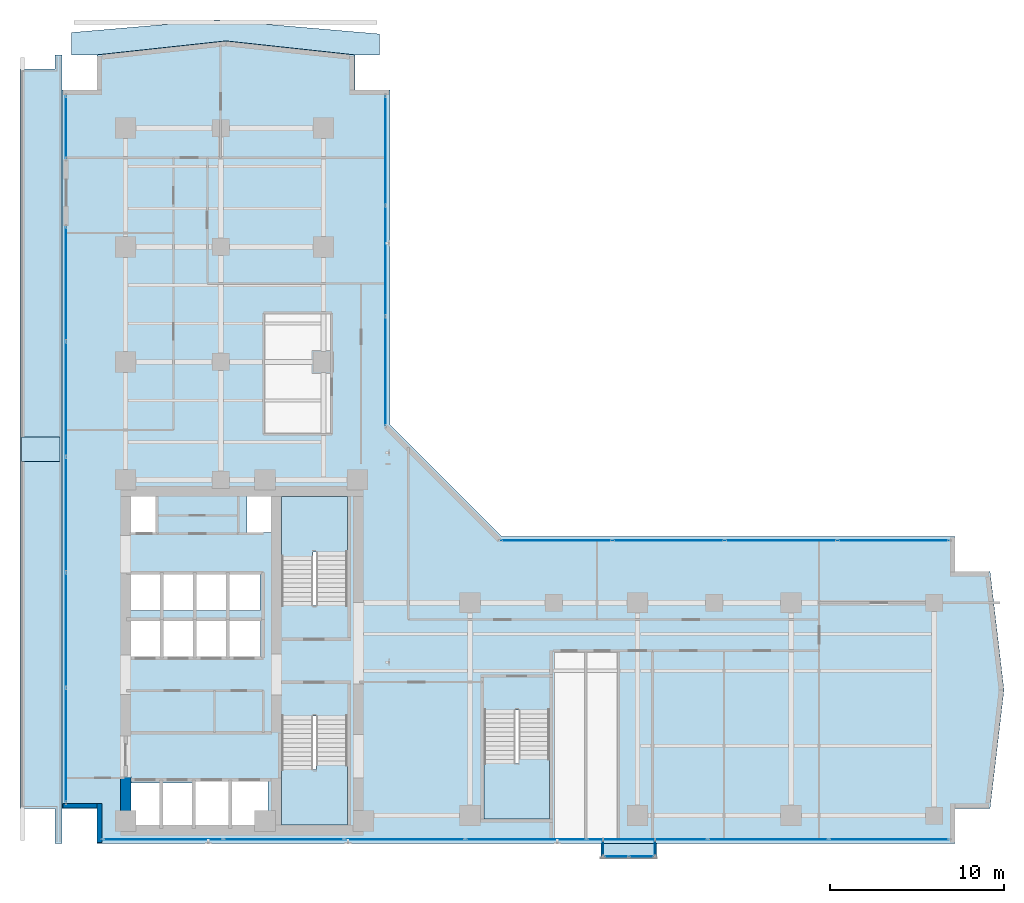
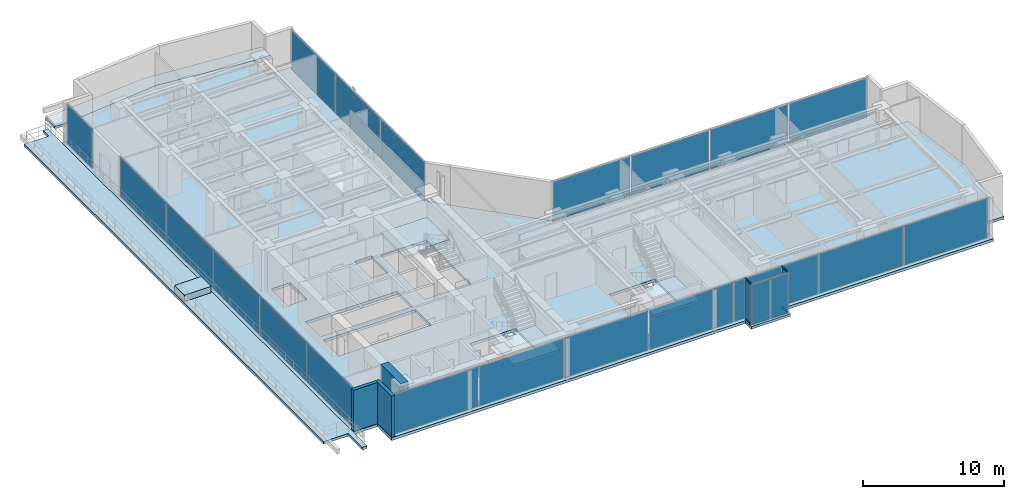
# One storey, part 19 of 28: 24 plates, 8 slabs, 4 members, 3 walls, 11 elements without a shape of their own.
"""IFC4 building model written with IfcOpenShell, lengths in metres."""

from ifc_helpers import new_model, si_unit, direction, frame, frame_2d, origin, origin_with_axes, origin_2d, place, context, subcontext, project, spatial, polyline, rectangle, hollow_rectangle, outline, extrude, source, transform, mapped, material, layer, layer_set, material_profile, profile_set, type_object, element, aggregate, save


model = new_model("IFC4")

# Units and contexts
model_context = context("Model", 3, precision=1e-05, world=origin(), true_north=direction((0.0, 1.0)))
body_context = subcontext(model_context, "Body", "Model", "MODEL_VIEW")
ifc_project = project(units=[si_unit("LENGTHUNIT", "METRE"), si_unit("AREAUNIT", "SQUARE_METRE"), si_unit("VOLUMEUNIT", "CUBIC_METRE"), si_unit("PLANEANGLEUNIT", "RADIAN"), si_unit("MASSUNIT", "GRAM", prefix="KILO")], contexts=[model_context])

# Site, building, storey
site_placement = place(None, origin())
site = spatial("IfcSite", under=ifc_project, at=site_placement, CompositionType="ELEMENT")
building_placement = place(site_placement, origin())
building = spatial("IfcBuilding", under=site, at=building_placement, Name="Kolvaren Waterfront Exchange", CompositionType="ELEMENT")
storey_placement = place(building_placement, frame((0.0, 0.0, 146.199951171875)))
storey = spatial("IfcBuildingStorey", under=building, at=storey_placement, Name="L37", CompositionType="ELEMENT", Elevation=146.199951171875)

# Curtain wall, members
ifc_material_1 = material(Name="Anodised bronze aluminium 6063-T6", Category="aluminium")
ifc_layer_1 = layer(ifc_material_1, 0.219970703125, Name="Anodised bronze aluminium 6063-T6")
ifc_layer_set_1 = layer_set([ifc_layer_1], Name="Anodised bronze aluminium 6063-T6")
curtain_wall_type_1 = type_object("IfcCurtainWallType", Name="ARC-CW-SYS3", PredefinedType="USERDEFINED", material=ifc_layer_set_1)
curtain_wall_1_placement = place(storey_placement, origin())
curtain_wall_1 = element("IfcCurtainWall", 1, at=curtain_wall_1_placement, inside=storey, type_object=curtain_wall_type_1, Name="L37 stick curtain wall CW3 (CW-L37-BOX-W)", ObjectType="STICK CURTAIN WALL", PredefinedType="USERDEFINED")
ifc_material_profile = material_profile(ifc_material_1, hollow_rectangle(XDim=0.06494140625, YDim=0.1298828125, WallThickness=0.00390625, at=origin_2d()), Name="ALU-TRN-130x65x4")
ifc_profile_set = profile_set([ifc_material_profile], Name="Anodised bronze aluminium 6063-T6")
member_type = type_object("IfcMemberType", Name="ARC-CWT-130", PredefinedType="USERDEFINED", material=ifc_profile_set)
shared_shape_1 = source(origin_with_axes(), body_context, "Body", "SweptSolid", [
    extrude(hollow_rectangle(XDim=0.06494140625, YDim=0.1298828125, WallThickness=0.00390625, at=origin_2d()), origin(), (0.0, 0.0, 1.0), 0.829833984375),
])
member_1_placement = place(storey_placement, frame((34.81005859375, 3.764892578125, 0.032470703125), z_axis=(0.0, -1.0, 0.0), x_axis=(1.0, 0.0, 0.0)))
member_1 = element("IfcMember", 2, at=member_1_placement, type_object=member_type, Name="CW3 transom 1.1", ObjectType="TRANSOM", PredefinedType="USERDEFINED", context=body_context, shape_type="MappedRepresentation", body=[
    mapped(shared_shape_1, transform((0.0, 0.0, 0.0), x_axis=(1.0, 0.0, 0.0), y_axis=(0.0, 1.0, 0.0), z_axis=(0.0, 0.0, 1.0), scale=1.0)),
])
member_2_placement = place(storey_placement, frame((34.81005859375, 3.764892578125, 3.527587890625), z_axis=(0.0, -1.0, 0.0), x_axis=(1.0, 0.0, 0.0)))
member_2 = element("IfcMember", 3, at=member_2_placement, type_object=member_type, Name="CW3 transom 1.2", ObjectType="TRANSOM", PredefinedType="USERDEFINED", context=body_context, shape_type="MappedRepresentation", body=[
    mapped(shared_shape_1, transform((0.0, 0.0, 0.0), x_axis=(1.0, 0.0, 0.0), y_axis=(0.0, 1.0, 0.0), z_axis=(0.0, 0.0, 1.0), scale=1.0)),
])

curtain_wall_2_placement = place(storey_placement, origin())
curtain_wall_2 = element("IfcCurtainWall", 4, at=curtain_wall_2_placement, inside=storey, type_object=curtain_wall_type_1, Name="L37 stick curtain wall CW3 (CW-L37-BOX-E)", ObjectType="STICK CURTAIN WALL", PredefinedType="USERDEFINED")
member_3_placement = place(storey_placement, frame((37.7900390625, 2.93505859375, 0.032470703125), z_axis=(0.0, 1.0, 0.0), x_axis=(-1.0, 0.0, 0.0)))
member_3 = element("IfcMember", 5, at=member_3_placement, type_object=member_type, Name="CW3 transom 1.1", ObjectType="TRANSOM", PredefinedType="USERDEFINED", context=body_context, shape_type="MappedRepresentation", body=[
    mapped(shared_shape_1, transform((0.0, 0.0, 0.0), x_axis=(1.0, 0.0, 0.0), y_axis=(0.0, 1.0, 0.0), z_axis=(0.0, 0.0, 1.0), scale=1.0)),
])
member_4_placement = place(storey_placement, frame((37.7900390625, 2.93505859375, 3.527587890625), z_axis=(0.0, 1.0, 0.0), x_axis=(-1.0, 0.0, 0.0)))
member_4 = element("IfcMember", 6, at=member_4_placement, type_object=member_type, Name="CW3 transom 1.2", ObjectType="TRANSOM", PredefinedType="USERDEFINED", context=body_context, shape_type="MappedRepresentation", body=[
    mapped(shared_shape_1, transform((0.0, 0.0, 0.0), x_axis=(1.0, 0.0, 0.0), y_axis=(0.0, 1.0, 0.0), z_axis=(0.0, 0.0, 1.0), scale=1.0)),
])

# Slab
ifc_material_2 = material(Name="Precast concrete C40/50", Category="concrete")
ifc_layer_2 = layer(ifc_material_2, 0.2099609375, Name="Precast concrete C40/50")
ifc_layer_set_2 = layer_set([ifc_layer_2], Name="Precast concrete C40/50")
slab_type_1 = type_object("IfcSlabType", Name="STR-CANOPY-210", PredefinedType="ROOF", material=ifc_layer_set_2)
slab_1_placement = place(storey_placement, frame((0.0, 0.0, -0.2099609375)))
element("IfcSlab", 7, at=slab_1_placement, inside=storey, type_object=slab_type_1, Name="L37 north setback roof ledge 1", PredefinedType="ROOF", context=body_context, shape_type="SweptSolid", body=[
    extrude(outline(polyline([(12.699951171875, 50.800048828125), (22.0, 50.0), (22.0, 48.7900390625), (20.60009765625, 48.7900390625), (20.60009765625, 48.800048828125), (13.199951171875, 49.60009765625), (5.800048828125, 48.800048828125), (5.800048828125, 48.7900390625), (4.35009765625, 48.7900390625), (4.35009765625, 50.081787109375), (12.699951171875, 50.800048828125)])), origin(), (0.0, 0.0, 1.0), 0.2099609375),
])

# Stair, slab
ifc_material_3 = material(Name="Concrete C40/50", Category="concrete")
stair_type = type_object("IfcStairType", Name="ARC-STAIR-3800", PredefinedType="HALF_TURN_STAIR", material=ifc_material_3)
stair_1_placement = place(storey_placement, origin())
stair_1 = element("IfcStair", 8, at=stair_1_placement, inside=storey, type_object=stair_type, Name="L37 Smoke-proof exit stair ST1", PredefinedType="HALF_TURN_STAIR")
ifc_layer_3 = layer(ifc_material_3, 0.199951171875, Name="Concrete C40/50")
ifc_layer_set_3 = layer_set([ifc_layer_3], Name="Concrete C40/50")
slab_type_2 = type_object("IfcSlabType", Name="STR-LANDING-200", PredefinedType="LANDING", material=ifc_layer_set_3)
slab_2_placement = place(storey_placement, frame((0.0, 0.0, 1.776123046875)))
slab_2 = element("IfcSlab", 9, at=slab_2_placement, type_object=slab_type_2, Name="ST1 landing 1", PredefinedType="LANDING", context=body_context, shape_type="SweptSolid", body=[
    extrude(outline(polyline([(16.39990234375, 7.840087890625), (16.39990234375, 4.64990234375), (20.159912109375, 4.64990234375), (20.159912109375, 8.10009765625), (18.360107421875, 8.10009765625), (18.360107421875, 7.840087890625), (16.39990234375, 7.840087890625)])), origin(), (0.0, 0.0, 1.0), 0.199951171875),
])
aggregate(stair_1, [slab_2])

stair_2_placement = place(storey_placement, origin())
stair_2 = element("IfcStair", 10, at=stair_2_placement, inside=storey, type_object=stair_type, Name="L37 Smoke-proof exit stair ST2", PredefinedType="HALF_TURN_STAIR")
slab_3_placement = place(storey_placement, frame((0.0, 0.0, 1.776123046875)))
slab_3 = element("IfcSlab", 11, at=slab_3_placement, type_object=slab_type_2, Name="ST2 landing 1", PredefinedType="LANDING", context=body_context, shape_type="SweptSolid", body=[
    extrude(outline(polyline([(20.159912109375, 20.31005859375), (20.159912109375, 23.5), (16.39990234375, 23.5), (16.39990234375, 20.050048828125), (18.199951171875, 20.050048828125), (18.199951171875, 20.31005859375), (20.159912109375, 20.31005859375)])), origin(), (0.0, 0.0, 1.0), 0.199951171875),
])
aggregate(stair_2, [slab_3])

stair_3_placement = place(storey_placement, origin())
stair_3 = element("IfcStair", 12, at=stair_3_placement, inside=storey, type_object=stair_type, Name="L37 Exit stair ST3", PredefinedType="HALF_TURN_STAIR")
slab_4_placement = place(storey_placement, frame((0.0, 0.0, 1.776123046875)))
slab_4 = element("IfcSlab", 13, at=slab_4_placement, type_object=slab_type_2, Name="ST3 landing 1", PredefinedType="LANDING", context=body_context, shape_type="SweptSolid", body=[
    extrude(outline(polyline([(28.0, 8.18994140625), (28.0, 5.0), (31.760009765625, 5.0), (31.760009765625, 8.449951171875), (29.9599609375, 8.449951171875), (29.9599609375, 8.18994140625), (28.0, 8.18994140625)])), origin(), (0.0, 0.0, 1.0), 0.199951171875),
])
aggregate(stair_3, [slab_4])

# Slabs
ifc_layer_4 = layer(ifc_material_2, 0.159912109375, Name="Precast concrete C40/50")
ifc_layer_set_4 = layer_set([ifc_layer_4], Name="Precast concrete C40/50")
slab_type_3 = type_object("IfcSlabType", Name="STR-PLANTER-160", PredefinedType="USERDEFINED", material=ifc_layer_set_4)
slab_5_placement = place(storey_placement, origin())
element("IfcSlab", 14, at=slab_5_placement, inside=storey, type_object=slab_type_3, Name="L37 planted sky-garden structural planter 1", ObjectType="PLANTER", PredefinedType="USERDEFINED", context=body_context, shape_type="SweptSolid", body=[
    extrude(outline(polyline([(1.5, 25.5), (3.699951171875, 25.5), (3.699951171875, 26.89990234375), (1.5, 26.89990234375), (1.5, 25.5)])), origin(), (0.0, 0.0, 1.0), 0.550048828125),
])
ifc_layer_5 = layer(ifc_material_3, 0.239990234375, Name="Concrete C40/50")
ifc_layer_set_5 = layer_set([ifc_layer_5], Name="Concrete C40/50")
slab_type_4 = type_object("IfcSlabType", Name="STR-SLAB-240", PredefinedType="FLOOR", material=ifc_layer_set_5)
slab_6_placement = place(storey_placement, frame((0.0, 0.0, -0.239990234375)))
element("IfcSlab", 15, at=slab_6_placement, inside=storey, type_object=slab_type_4, Name="L37 structural floor slab", PredefinedType="FLOOR", context=body_context, shape_type="SweptSolid", body=[
    extrude(outline(polyline([(5.800048828125, 3.60009765625), (55.0, 3.60009765625), (55.0, 5.60009765625), (57.0, 5.60009765625), (57.800048828125, 12.39990234375), (57.0, 19.199951171875), (55.0, 19.199951171875), (55.0, 21.199951171875), (29.0, 21.199951171875), (22.60009765625, 27.60009765625), (22.60009765625, 46.800048828125), (20.60009765625, 46.800048828125), (20.60009765625, 48.800048828125), (13.199951171875, 49.60009765625), (5.800048828125, 48.800048828125), (5.800048828125, 46.800048828125), (3.800048828125, 46.800048828125), (3.800048828125, 5.60009765625), (5.800048828125, 5.60009765625), (5.800048828125, 3.60009765625)]), holes=[polyline([(11.320068359375, 7.260009765625), (15.610107421875, 7.260009765625), (15.610107421875, 4.5400390625), (7.719970703125, 4.5400390625), (7.719970703125, 7.06005859375), (11.320068359375, 7.06005859375), (11.320068359375, 7.260009765625)]), polyline([(20.159912109375, 10.89990234375), (20.159912109375, 4.64990234375), (16.39990234375, 4.64990234375), (16.39990234375, 10.89990234375), (20.159912109375, 10.89990234375)]), polyline([(31.760009765625, 11.25), (31.760009765625, 5.0), (28.0, 5.0), (28.0, 11.25), (31.760009765625, 11.25)]), polyline([(15.18505859375, 14.239990234375), (7.64501953125, 14.239990234375), (7.64501953125, 16.4599609375), (15.18505859375, 16.4599609375), (15.18505859375, 14.239990234375)]), polyline([(15.159912109375, 16.93994140625), (7.669921875, 16.93994140625), (7.669921875, 19.06005859375), (15.159912109375, 19.06005859375), (15.159912109375, 16.93994140625)]), polyline([(16.39990234375, 23.5), (20.159912109375, 23.5), (20.159912109375, 17.25), (16.39990234375, 17.25), (16.39990234375, 23.5)]), polyline([(7.60009765625, 23.780029296875), (9.179931640625, 23.780029296875), (9.179931640625, 21.419921875), (7.60009765625, 21.419921875), (7.60009765625, 23.780029296875)]), polyline([(15.800048828125, 23.780029296875), (15.800048828125, 21.419921875), (14.419921875, 21.419921875), (14.419921875, 23.780029296875), (15.800048828125, 23.780029296875)])]), origin(), (0.0, 0.0, 1.0), 0.239990234375),
])
ifc_layer_6 = layer(ifc_material_3, 0.219970703125, Name="Concrete C40/50")
ifc_layer_set_6 = layer_set([ifc_layer_6], Name="Concrete C40/50")
slab_type_5 = type_object("IfcSlabType", Name="STR-TERR-220", PredefinedType="FLOOR", material=ifc_layer_set_6)
slab_7_placement = place(storey_placement, frame((0.0, 0.0, -0.219970703125)))
element("IfcSlab", 16, at=slab_7_placement, inside=storey, type_object=slab_type_5, Name="L37 west planted sky-garden terrace slab 2", PredefinedType="FLOOR", context=body_context, shape_type="SweptSolid", body=[
    extrude(outline(polyline([(3.39990234375, 5.60009765625), (1.39990234375, 5.60009765625), (1.39990234375, 48.0), (3.39990234375, 48.0), (3.39990234375, 48.7900390625), (3.81005859375, 48.7900390625), (3.81005859375, 46.800048828125), (3.800048828125, 46.800048828125), (3.800048828125, 5.60009765625), (3.81005859375, 5.60009765625), (3.81005859375, 3.610107421875), (3.39990234375, 3.610107421875), (3.39990234375, 5.60009765625)])), origin(), (0.0, 0.0, 1.0), 0.219970703125),
])
slab_8_placement = place(storey_placement, frame((0.0, 0.0, -0.219970703125)))
element("IfcSlab", 17, at=slab_8_placement, inside=storey, type_object=slab_type_5, Name="L37 projecting bay-box floor strip", PredefinedType="FLOOR", context=body_context, shape_type="SweptSolid", body=[
    extrude(outline(polyline([(34.699951171875, 2.75), (37.89990234375, 2.75), (37.89990234375, 3.60009765625), (34.699951171875, 3.60009765625), (34.699951171875, 2.75)])), origin(), (0.0, 0.0, 1.0), 0.219970703125),
])

# Plate
ifc_material_4 = material(Name="Bronze tinted bay-box vision glass", Category="aluminium")
ifc_layer_7 = layer(ifc_material_4, 0.02392578125, Name="Bronze tinted bay-box vision glass")
ifc_layer_set_7 = layer_set([ifc_layer_7], Name="Bronze tinted bay-box vision glass")
plate_type_1 = type_object("IfcPlateType", Name="ARC-CWP-24", PredefinedType="CURTAIN_PANEL", material=ifc_layer_set_7)
shared_shape_2 = source(origin_with_axes(), body_context, "Body", "SweptSolid", [
    extrude(rectangle(XDim=0.830078125, YDim=0.02392578125, at=origin_2d()), origin(), (0.0, 0.0, 1.0), 3.429931640625),
])
plate_1_placement = place(storey_placement, frame((34.81005859375, 3.35009765625, 0.06494140625), z_axis=(0.0, 0.0, 1.0), x_axis=(0.0, -1.0, 0.0)))
plate_1 = element("IfcPlate", 18, at=plate_1_placement, type_object=plate_type_1, Name="CW3 panel 1.1", PredefinedType="CURTAIN_PANEL", context=body_context, shape_type="MappedRepresentation", body=[
    mapped(shared_shape_2, transform((0.0, 0.0, 0.0), x_axis=(1.0, 0.0, 0.0), y_axis=(0.0, 1.0, 0.0), z_axis=(0.0, 0.0, 1.0), scale=1.0)),
])

aggregate(curtain_wall_1, [member_1, member_2, plate_1])

plate_2_placement = place(storey_placement, frame((37.7900390625, 3.35009765625, 0.06494140625), z_axis=(0.0, 0.0, 1.0), x_axis=(0.0, 1.0, 0.0)))
plate_2 = element("IfcPlate", 19, at=plate_2_placement, type_object=plate_type_1, Name="CW3 panel 1.1", PredefinedType="CURTAIN_PANEL", context=body_context, shape_type="MappedRepresentation", body=[
    mapped(shared_shape_2, transform((0.0, 0.0, 0.0), x_axis=(1.0, 0.0, 0.0), y_axis=(0.0, 1.0, 0.0), z_axis=(0.0, 0.0, 1.0), scale=1.0)),
])

aggregate(curtain_wall_2, [member_3, member_4, plate_2])

# Curtain wall, plates
curtain_wall_3_placement = place(storey_placement, origin())
curtain_wall_3 = element("IfcCurtainWall", 20, at=curtain_wall_3_placement, inside=storey, type_object=curtain_wall_type_1, Name="L37 stick curtain wall CW3 (CW-L37-BOX)", ObjectType="STICK CURTAIN WALL", PredefinedType="USERDEFINED")
shared_shape_3 = source(origin_with_axes(), body_context, "Body", "SweptSolid", [
    extrude(rectangle(XDim=1.37744140625, YDim=0.02392578125, at=origin_2d()), origin(), (0.0, 0.0, 1.0), 3.429931640625),
])
plate_3_placement = place(storey_placement, frame((35.57373046875, 2.860107421875, 0.06494140625), z_axis=(0.0, 0.0, 1.0), x_axis=(1.0, 0.0, 0.0)))
plate_3 = element("IfcPlate", 21, at=plate_3_placement, type_object=plate_type_1, Name="CW3 panel 1.1", PredefinedType="CURTAIN_PANEL", context=body_context, shape_type="MappedRepresentation", body=[
    mapped(shared_shape_3, transform((0.0, 0.0, 0.0), x_axis=(1.0, 0.0, 0.0), y_axis=(0.0, 1.0, 0.0), z_axis=(0.0, 0.0, 1.0), scale=1.0)),
])
plate_4_placement = place(storey_placement, frame((37.0263671875, 2.860107421875, 0.06494140625), z_axis=(0.0, 0.0, 1.0), x_axis=(1.0, 0.0, 0.0)))
plate_4 = element("IfcPlate", 22, at=plate_4_placement, type_object=plate_type_1, Name="CW3 panel 2.1", PredefinedType="CURTAIN_PANEL", context=body_context, shape_type="MappedRepresentation", body=[
    mapped(shared_shape_3, transform((0.0, 0.0, 0.0), x_axis=(1.0, 0.0, 0.0), y_axis=(0.0, 1.0, 0.0), z_axis=(0.0, 0.0, 1.0), scale=1.0)),
])
aggregate(curtain_wall_3, [plate_3, plate_4])

ifc_layer_8 = layer(ifc_material_1, 0.219970703125, Name="Anodised bronze aluminium 6063-T6")
ifc_layer_set_8 = layer_set([ifc_layer_8], Name="Anodised bronze aluminium 6063-T6")
curtain_wall_type_2 = type_object("IfcCurtainWallType", Name="ARC-CW-SYS1", PredefinedType="USERDEFINED", material=ifc_layer_set_8)
curtain_wall_4_placement = place(storey_placement, origin())
curtain_wall_4 = element("IfcCurtainWall", 23, at=curtain_wall_4_placement, inside=storey, type_object=curtain_wall_type_2, Name="L37 stick curtain wall CW1 (CW-L37-S)", ObjectType="STICK CURTAIN WALL", PredefinedType="USERDEFINED")
ifc_material_5 = material(Name="Bronze solar control vision glass", Category="aluminium")
ifc_layer_9 = layer(ifc_material_5, 0.028076171875, Name="Bronze solar control vision glass")
ifc_layer_set_9 = layer_set([ifc_layer_9], Name="Bronze solar control vision glass")
plate_type_2 = type_object("IfcPlateType", Name="ARC-CWP-28", PredefinedType="CURTAIN_PANEL", material=ifc_layer_set_9)
shared_shape_4 = source(origin_with_axes(), body_context, "Body", "SweptSolid", [
    extrude(rectangle(XDim=6.82275390625, YDim=0.028076171875, at=origin_2d()), origin(), (0.0, 0.0, 1.0), 3.409912109375),
])
plate_5_placement = place(storey_placement, frame((9.59130859375, 3.840087890625, 0.0751953125), z_axis=(0.0, 0.0, 1.0), x_axis=(1.0, 0.0, 0.0)))
plate_5 = element("IfcPlate", 24, at=plate_5_placement, type_object=plate_type_2, Name="CW1 panel 1.1", PredefinedType="CURTAIN_PANEL", context=body_context, shape_type="MappedRepresentation", body=[
    mapped(shared_shape_4, transform((0.0, 0.0, 0.0), x_axis=(1.0, 0.0, 0.0), y_axis=(0.0, 1.0, 0.0), z_axis=(0.0, 0.0, 1.0), scale=1.0)),
])
plate_6_placement = place(storey_placement, frame((51.20849609375, 3.840087890625, 0.0751953125), z_axis=(0.0, 0.0, 1.0), x_axis=(1.0, 0.0, 0.0)))
plate_6 = element("IfcPlate", 25, at=plate_6_placement, type_object=plate_type_2, Name="CW1 panel 7.1", PredefinedType="CURTAIN_PANEL", context=body_context, shape_type="MappedRepresentation", body=[
    mapped(shared_shape_4, transform((0.0, 0.0, 0.0), x_axis=(1.0, 0.0, 0.0), y_axis=(0.0, 1.0, 0.0), z_axis=(0.0, 0.0, 1.0), scale=1.0)),
])
shared_shape_5 = source(origin_with_axes(), body_context, "Body", "SweptSolid", [
    extrude(rectangle(XDim=6.86279296875, YDim=0.028076171875, at=origin_2d()), origin(), (0.0, 0.0, 1.0), 3.409912109375),
])
plate_7_placement = place(storey_placement, frame((16.514404296875, 3.840087890625, 0.0751953125), z_axis=(0.0, 0.0, 1.0), x_axis=(1.0, 0.0, 0.0)))
plate_7 = element("IfcPlate", 26, at=plate_7_placement, type_object=plate_type_2, Name="CW1 panel 2.1", PredefinedType="CURTAIN_PANEL", context=body_context, shape_type="MappedRepresentation", body=[
    mapped(shared_shape_5, transform((0.0, 0.0, 0.0), x_axis=(1.0, 0.0, 0.0), y_axis=(0.0, 1.0, 0.0), z_axis=(0.0, 0.0, 1.0), scale=1.0)),
])
plate_8_placement = place(storey_placement, frame((23.45703125, 3.840087890625, 0.0751953125), z_axis=(0.0, 0.0, 1.0), x_axis=(1.0, 0.0, 0.0)))
plate_8 = element("IfcPlate", 27, at=plate_8_placement, type_object=plate_type_2, Name="CW1 panel 3.1", PredefinedType="CURTAIN_PANEL", context=body_context, shape_type="MappedRepresentation", body=[
    mapped(shared_shape_5, transform((0.0, 0.0, 0.0), x_axis=(1.0, 0.0, 0.0), y_axis=(0.0, 1.0, 0.0), z_axis=(0.0, 0.0, 1.0), scale=1.0)),
])
plate_9_placement = place(storey_placement, frame((30.39990234375, 3.840087890625, 0.0751953125), z_axis=(0.0, 0.0, 1.0), x_axis=(1.0, 0.0, 0.0)))
plate_9 = element("IfcPlate", 28, at=plate_9_placement, type_object=plate_type_2, Name="CW1 panel 4.1", PredefinedType="CURTAIN_PANEL", context=body_context, shape_type="MappedRepresentation", body=[
    mapped(shared_shape_5, transform((0.0, 0.0, 0.0), x_axis=(1.0, 0.0, 0.0), y_axis=(0.0, 1.0, 0.0), z_axis=(0.0, 0.0, 1.0), scale=1.0)),
])
plate_10_placement = place(storey_placement, frame((37.3427734375, 3.840087890625, 0.0751953125), z_axis=(0.0, 0.0, 1.0), x_axis=(1.0, 0.0, 0.0)))
plate_10 = element("IfcPlate", 29, at=plate_10_placement, type_object=plate_type_2, Name="CW1 panel 5.1", PredefinedType="CURTAIN_PANEL", context=body_context, shape_type="MappedRepresentation", body=[
    mapped(shared_shape_5, transform((0.0, 0.0, 0.0), x_axis=(1.0, 0.0, 0.0), y_axis=(0.0, 1.0, 0.0), z_axis=(0.0, 0.0, 1.0), scale=1.0)),
])
plate_11_placement = place(storey_placement, frame((44.28564453125, 3.840087890625, 0.0751953125), z_axis=(0.0, 0.0, 1.0), x_axis=(1.0, 0.0, 0.0)))
plate_11 = element("IfcPlate", 30, at=plate_11_placement, type_object=plate_type_2, Name="CW1 panel 6.1", PredefinedType="CURTAIN_PANEL", context=body_context, shape_type="MappedRepresentation", body=[
    mapped(shared_shape_5, transform((0.0, 0.0, 0.0), x_axis=(1.0, 0.0, 0.0), y_axis=(0.0, 1.0, 0.0), z_axis=(0.0, 0.0, 1.0), scale=1.0)),
])
aggregate(curtain_wall_4, [plate_5, plate_7, plate_8, plate_9, plate_10, plate_11, plate_6])

ifc_material_6 = material(Name="Anodised aluminium 6063-T6", Category="aluminium")
ifc_layer_10 = layer(ifc_material_6, 0.219970703125, Name="Anodised aluminium 6063-T6")
ifc_layer_set_10 = layer_set([ifc_layer_10], Name="Anodised aluminium 6063-T6")
curtain_wall_type_3 = type_object("IfcCurtainWallType", Name="ARC-CW-SYS2", PredefinedType="USERDEFINED", material=ifc_layer_set_10)
curtain_wall_5_placement = place(storey_placement, origin())
curtain_wall_5 = element("IfcCurtainWall", 31, at=curtain_wall_5_placement, inside=storey, type_object=curtain_wall_type_3, Name="L37 stick curtain wall CW2 (CW-L37-W-1)", ObjectType="STICK CURTAIN WALL", PredefinedType="USERDEFINED")
ifc_material_7 = material(Name="Acoustic laminated vision glass", Category="glass")
ifc_layer_11 = layer(ifc_material_7, 0.031982421875, Name="Acoustic laminated vision glass")
ifc_layer_set_11 = layer_set([ifc_layer_11], Name="Acoustic laminated vision glass")
plate_type_3 = type_object("IfcPlateType", Name="ARC-CWP-32", PredefinedType="CURTAIN_PANEL", material=ifc_layer_set_11)
shared_shape_6 = source(origin_with_axes(), body_context, "Body", "SweptSolid", [
    extrude(rectangle(XDim=6.5, YDim=0.031982421875, at=origin_2d()), origin(), (0.0, 0.0, 1.0), 3.409912109375),
])
plate_12_placement = place(storey_placement, frame((4.0400390625, 9.22998046875, 0.0751953125), z_axis=(0.0, 0.0, 1.0), x_axis=(0.0, 1.0, 0.0)))
plate_12 = element("IfcPlate", 32, at=plate_12_placement, type_object=plate_type_3, Name="CW2 panel 1.1", PredefinedType="CURTAIN_PANEL", context=body_context, shape_type="MappedRepresentation", body=[
    mapped(shared_shape_6, transform((0.0, 0.0, 0.0), x_axis=(1.0, 0.0, 0.0), y_axis=(0.0, 1.0, 0.0), z_axis=(0.0, 0.0, 1.0), scale=1.0)),
])
plate_13_placement = place(storey_placement, frame((4.0400390625, 35.669921875, 0.0751953125), z_axis=(0.0, 0.0, 1.0), x_axis=(0.0, 1.0, 0.0)))
plate_13 = element("IfcPlate", 33, at=plate_13_placement, type_object=plate_type_3, Name="CW2 panel 5.1", PredefinedType="CURTAIN_PANEL", context=body_context, shape_type="MappedRepresentation", body=[
    mapped(shared_shape_6, transform((0.0, 0.0, 0.0), x_axis=(1.0, 0.0, 0.0), y_axis=(0.0, 1.0, 0.0), z_axis=(0.0, 0.0, 1.0), scale=1.0)),
])
shared_shape_7 = source(origin_with_axes(), body_context, "Body", "SweptSolid", [
    extrude(rectangle(XDim=6.5400390625, YDim=0.031982421875, at=origin_2d()), origin(), (0.0, 0.0, 1.0), 3.409912109375),
])
plate_14_placement = place(storey_placement, frame((4.0400390625, 15.830078125, 0.0751953125), z_axis=(0.0, 0.0, 1.0), x_axis=(0.0, 1.0, 0.0)))
plate_14 = element("IfcPlate", 34, at=plate_14_placement, type_object=plate_type_3, Name="CW2 panel 2.1", PredefinedType="CURTAIN_PANEL", context=body_context, shape_type="MappedRepresentation", body=[
    mapped(shared_shape_7, transform((0.0, 0.0, 0.0), x_axis=(1.0, 0.0, 0.0), y_axis=(0.0, 1.0, 0.0), z_axis=(0.0, 0.0, 1.0), scale=1.0)),
])
plate_15_placement = place(storey_placement, frame((4.0400390625, 22.449951171875, 0.0751953125), z_axis=(0.0, 0.0, 1.0), x_axis=(0.0, 1.0, 0.0)))
plate_15 = element("IfcPlate", 35, at=plate_15_placement, type_object=plate_type_3, Name="CW2 panel 3.1", PredefinedType="CURTAIN_PANEL", context=body_context, shape_type="MappedRepresentation", body=[
    mapped(shared_shape_7, transform((0.0, 0.0, 0.0), x_axis=(1.0, 0.0, 0.0), y_axis=(0.0, 1.0, 0.0), z_axis=(0.0, 0.0, 1.0), scale=1.0)),
])
plate_16_placement = place(storey_placement, frame((4.0400390625, 29.070068359375, 0.0751953125), z_axis=(0.0, 0.0, 1.0), x_axis=(0.0, 1.0, 0.0)))
plate_16 = element("IfcPlate", 36, at=plate_16_placement, type_object=plate_type_3, Name="CW2 panel 4.1", PredefinedType="CURTAIN_PANEL", context=body_context, shape_type="MappedRepresentation", body=[
    mapped(shared_shape_7, transform((0.0, 0.0, 0.0), x_axis=(1.0, 0.0, 0.0), y_axis=(0.0, 1.0, 0.0), z_axis=(0.0, 0.0, 1.0), scale=1.0)),
])
aggregate(curtain_wall_5, [plate_12, plate_14, plate_15, plate_16, plate_13])

# Curtain wall, plate
curtain_wall_6_placement = place(storey_placement, origin())
curtain_wall_6 = element("IfcCurtainWall", 37, at=curtain_wall_6_placement, inside=storey, type_object=curtain_wall_type_3, Name="L37 stick curtain wall CW2 (CW-L37-W-2)", ObjectType="STICK CURTAIN WALL", PredefinedType="USERDEFINED")
shared_shape_8 = source(origin_with_axes(), body_context, "Body", "SweptSolid", [
    extrude(rectangle(XDim=3.5400390625, YDim=0.031982421875, at=origin_2d()), origin(), (0.0, 0.0, 1.0), 3.409912109375),
])
plate_17_placement = place(storey_placement, frame((4.0400390625, 44.64990234375, 0.0751953125), z_axis=(0.0, 0.0, 1.0), x_axis=(0.0, 1.0, 0.0)))
plate_17 = element("IfcPlate", 38, at=plate_17_placement, type_object=plate_type_3, Name="CW2 panel 1.1", PredefinedType="CURTAIN_PANEL", context=body_context, shape_type="MappedRepresentation", body=[
    mapped(shared_shape_8, transform((0.0, 0.0, 0.0), x_axis=(1.0, 0.0, 0.0), y_axis=(0.0, 1.0, 0.0), z_axis=(0.0, 0.0, 1.0), scale=1.0)),
])
aggregate(curtain_wall_6, [plate_17])

# Curtain wall, plates
curtain_wall_7_placement = place(storey_placement, origin())
curtain_wall_7 = element("IfcCurtainWall", 39, at=curtain_wall_7_placement, inside=storey, type_object=curtain_wall_type_2, Name="L37 stick curtain wall CW1 (CW-L37-NE)", ObjectType="STICK CURTAIN WALL", PredefinedType="USERDEFINED")
shared_shape_9 = source(origin_with_axes(), body_context, "Body", "SweptSolid", [
    extrude(rectangle(XDim=6.216552734375, YDim=0.028076171875, at=origin_2d()), origin(), (0.0, 0.0, 1.0), 3.409912109375),
])
plate_18_placement = place(storey_placement, frame((22.360107421875, 30.67822265625, 0.0751953125), z_axis=(0.0, 0.0, 1.0), x_axis=(0.0, 1.0, 0.0)))
plate_18 = element("IfcPlate", 40, at=plate_18_placement, type_object=plate_type_2, Name="CW1 panel 1.1", PredefinedType="CURTAIN_PANEL", context=body_context, shape_type="MappedRepresentation", body=[
    mapped(shared_shape_9, transform((0.0, 0.0, 0.0), x_axis=(1.0, 0.0, 0.0), y_axis=(0.0, 1.0, 0.0), z_axis=(0.0, 0.0, 1.0), scale=1.0)),
])
plate_19_placement = place(storey_placement, frame((22.360107421875, 43.311767578125, 0.0751953125), z_axis=(0.0, 0.0, 1.0), x_axis=(0.0, 1.0, 0.0)))
plate_19 = element("IfcPlate", 41, at=plate_19_placement, type_object=plate_type_2, Name="CW1 panel 3.1", PredefinedType="CURTAIN_PANEL", context=body_context, shape_type="MappedRepresentation", body=[
    mapped(shared_shape_9, transform((0.0, 0.0, 0.0), x_axis=(1.0, 0.0, 0.0), y_axis=(0.0, 1.0, 0.0), z_axis=(0.0, 0.0, 1.0), scale=1.0)),
])
shared_shape_10 = source(origin_with_axes(), body_context, "Body", "SweptSolid", [
    extrude(rectangle(XDim=6.256591796875, YDim=0.028076171875, at=origin_2d()), origin(), (0.0, 0.0, 1.0), 3.409912109375),
])
plate_20_placement = place(storey_placement, frame((22.360107421875, 36.9951171875, 0.0751953125), z_axis=(0.0, 0.0, 1.0), x_axis=(0.0, 1.0, 0.0)))
plate_20 = element("IfcPlate", 42, at=plate_20_placement, type_object=plate_type_2, Name="CW1 panel 2.1", PredefinedType="CURTAIN_PANEL", context=body_context, shape_type="MappedRepresentation", body=[
    mapped(shared_shape_10, transform((0.0, 0.0, 0.0), x_axis=(1.0, 0.0, 0.0), y_axis=(0.0, 1.0, 0.0), z_axis=(0.0, 0.0, 1.0), scale=1.0)),
])
aggregate(curtain_wall_7, [plate_18, plate_20, plate_19])

curtain_wall_8_placement = place(storey_placement, origin())
curtain_wall_8 = element("IfcCurtainWall", 43, at=curtain_wall_8_placement, inside=storey, type_object=curtain_wall_type_2, Name="L37 stick curtain wall CW1 (CW-L37-EN)", ObjectType="STICK CURTAIN WALL", PredefinedType="USERDEFINED")
shared_shape_11 = source(origin_with_axes(), body_context, "Body", "SweptSolid", [
    extrude(rectangle(XDim=6.33251953125, YDim=0.028076171875, at=origin_2d()), origin(), (0.0, 0.0, 1.0), 3.409912109375),
])
plate_21_placement = place(storey_placement, frame((32.13623046875, 20.9599609375, 0.0751953125), z_axis=(0.0, 0.0, 1.0), x_axis=(1.0, 0.0, 0.0)))
plate_21 = element("IfcPlate", 44, at=plate_21_placement, type_object=plate_type_2, Name="CW1 panel 1.1", PredefinedType="CURTAIN_PANEL", context=body_context, shape_type="MappedRepresentation", body=[
    mapped(shared_shape_11, transform((0.0, 0.0, 0.0), x_axis=(1.0, 0.0, 0.0), y_axis=(0.0, 1.0, 0.0), z_axis=(0.0, 0.0, 1.0), scale=1.0)),
])
plate_22_placement = place(storey_placement, frame((51.453857421875, 20.9599609375, 0.0751953125), z_axis=(0.0, 0.0, 1.0), x_axis=(1.0, 0.0, 0.0)))
plate_22 = element("IfcPlate", 45, at=plate_22_placement, type_object=plate_type_2, Name="CW1 panel 4.1", PredefinedType="CURTAIN_PANEL", context=body_context, shape_type="MappedRepresentation", body=[
    mapped(shared_shape_11, transform((0.0, 0.0, 0.0), x_axis=(1.0, 0.0, 0.0), y_axis=(0.0, 1.0, 0.0), z_axis=(0.0, 0.0, 1.0), scale=1.0)),
])
shared_shape_12 = source(origin_with_axes(), body_context, "Body", "SweptSolid", [
    extrude(rectangle(XDim=6.37255859375, YDim=0.028076171875, at=origin_2d()), origin(), (0.0, 0.0, 1.0), 3.409912109375),
])
plate_23_placement = place(storey_placement, frame((38.56884765625, 20.9599609375, 0.0751953125), z_axis=(0.0, 0.0, 1.0), x_axis=(1.0, 0.0, 0.0)))
plate_23 = element("IfcPlate", 46, at=plate_23_placement, type_object=plate_type_2, Name="CW1 panel 2.1", PredefinedType="CURTAIN_PANEL", context=body_context, shape_type="MappedRepresentation", body=[
    mapped(shared_shape_12, transform((0.0, 0.0, 0.0), x_axis=(1.0, 0.0, 0.0), y_axis=(0.0, 1.0, 0.0), z_axis=(0.0, 0.0, 1.0), scale=1.0)),
])
plate_24_placement = place(storey_placement, frame((45.021240234375, 20.9599609375, 0.0751953125), z_axis=(0.0, 0.0, 1.0), x_axis=(1.0, 0.0, 0.0)))
plate_24 = element("IfcPlate", 47, at=plate_24_placement, type_object=plate_type_2, Name="CW1 panel 3.1", PredefinedType="CURTAIN_PANEL", context=body_context, shape_type="MappedRepresentation", body=[
    mapped(shared_shape_12, transform((0.0, 0.0, 0.0), x_axis=(1.0, 0.0, 0.0), y_axis=(0.0, 1.0, 0.0), z_axis=(0.0, 0.0, 1.0), scale=1.0)),
])
aggregate(curtain_wall_8, [plate_21, plate_23, plate_24, plate_22])

# Walls
ifc_layer_12 = layer(ifc_material_2, 0.280029296875, Name="Precast concrete C40/50")
ifc_layer_set_12 = layer_set([ifc_layer_12], Name="Precast concrete C40/50")
wall_type_1 = type_object("IfcWallType", Name="ARC-EXT-TERR-280", PredefinedType="SOLIDWALL", material=ifc_layer_set_12)
wall_1_placement = place(storey_placement, frame((5.9599609375, 3.659912109375, 0.0), z_axis=(0.0, 0.0, 1.0), x_axis=(0.0, 1.0, 0.0)))
element("IfcWall", 48, at=wall_1_placement, inside=storey, type_object=wall_type_1, Name="L37 notched corner spandrel pier SW-A", PredefinedType="SOLIDWALL", context=body_context, shape_type="SweptSolid", body=[
    extrude(rectangle(XDim=2.239990234375, YDim=0.280029296875, at=frame_2d((1.1201171875, 0.0))), origin(), (0.0, 0.0, 1.0), 3.56005859375),
])
wall_2_placement = place(storey_placement, frame((3.860107421875, 5.760009765625, 0.0), z_axis=(0.0, 0.0, 1.0), x_axis=(1.0, 0.0, 0.0)))
element("IfcWall", 49, at=wall_2_placement, inside=storey, type_object=wall_type_1, Name="L37 notched corner spandrel pier SW-B", PredefinedType="SOLIDWALL", context=body_context, shape_type="SweptSolid", body=[
    extrude(rectangle(XDim=1.9599609375, YDim=0.280029296875, at=frame_2d((0.97998046875, 0.0))), origin(), (0.0, 0.0, 1.0), 3.56005859375),
])
ifc_material_8 = material(Name="Concrete C60/75", Category="concrete")
ifc_layer_13 = layer(ifc_material_8, 0.60009765625, Name="Concrete C60/75")
ifc_layer_set_13 = layer_set([ifc_layer_13], Name="Concrete C60/75")
wall_type_2 = type_object("IfcWallType", Name="STR-CWALL-600", PredefinedType="SHEAR", material=ifc_layer_set_13)
wall_3_placement = place(storey_placement, frame((7.449951171875, 4.64990234375, 0.0), z_axis=(0.0, 0.0, 1.0), x_axis=(0.0, 1.0, 0.0)))
element("IfcWall", 50, at=wall_3_placement, inside=storey, type_object=wall_type_2, Name="L37 rear-core shear wall W1", PredefinedType="SHEAR", context=body_context, shape_type="SweptSolid", body=[
    extrude(rectangle(XDim=2.800048828125, YDim=0.60009765625, at=frame_2d((1.39990234375, 0.0))), origin(), (0.0, 0.0, 1.0), 3.56005859375),
])

save(model, "model.ifc")
